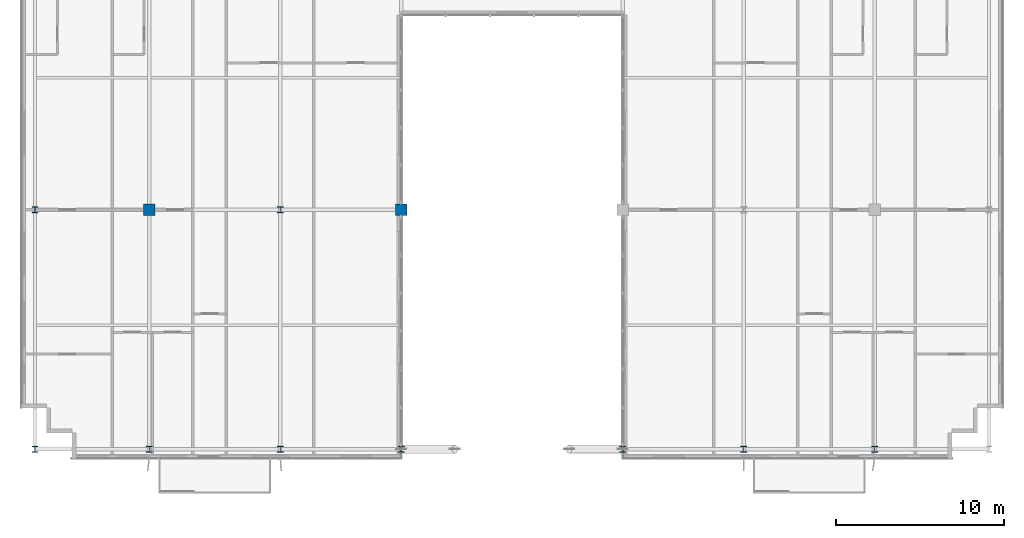
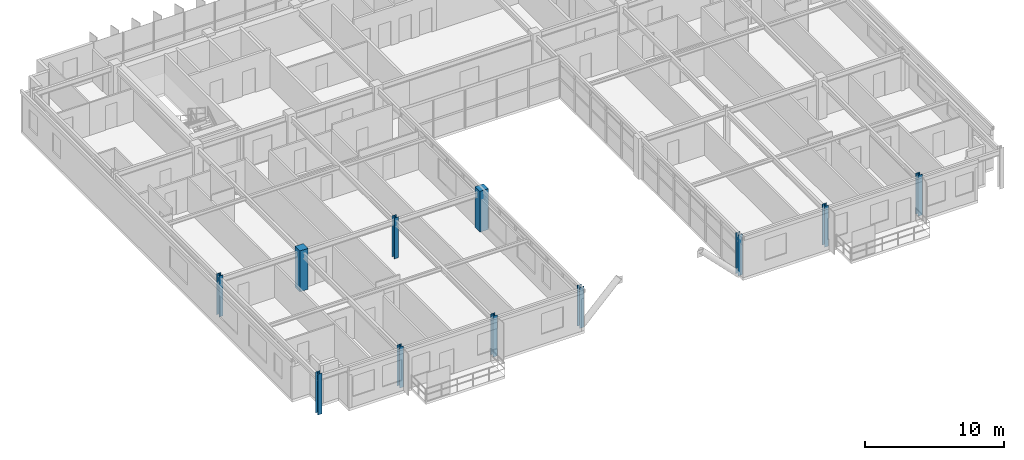
# One storey, part 1 of 35: 11 columns.
"""IFC4 building model written with IfcOpenShell, lengths in metres."""

from ifc_helpers import new_model, si_unit, direction, frame, origin, origin_2d, place, context, subcontext, project, spatial, rectangle, i_section, extrude, source, transform, mapped, material, material_profile, profile_set, type_object, element, save


model = new_model("IFC4")

# Units and contexts
model_context = context("Model", 3, precision=1e-05, world=origin(), true_north=direction((0.0, 1.0)))
body_context = subcontext(model_context, "Body", "Model", "MODEL_VIEW")
ifc_project = project(units=[si_unit("LENGTHUNIT", "METRE"), si_unit("AREAUNIT", "SQUARE_METRE"), si_unit("VOLUMEUNIT", "CUBIC_METRE"), si_unit("PLANEANGLEUNIT", "RADIAN"), si_unit("MASSUNIT", "GRAM", prefix="KILO")], contexts=[model_context])

# Site, building, storey
site_placement = place(None, origin())
site = spatial("IfcSite", under=ifc_project, at=site_placement, CompositionType="ELEMENT")
building_placement = place(site_placement, origin())
building = spatial("IfcBuilding", under=site, at=building_placement, Name="Trelvane Seafront Commons", CompositionType="ELEMENT")
storey_placement = place(building_placement, frame((0.0, 0.0, 194.10009765625)))
storey = spatial("IfcBuildingStorey", under=building, at=storey_placement, Name="L50", CompositionType="ELEMENT", Elevation=194.10009765625)

# Columns
ifc_material_1 = material(Name="Concrete C50/60", Category="concrete")
ifc_material_profile_1 = material_profile(ifc_material_1, rectangle(XDim=0.699951171875, YDim=0.699951171875, at=origin_2d()), Name="RC-700x700")
ifc_profile_set_1 = profile_set([ifc_material_profile_1], Name="Concrete C50/60")
column_type_1 = type_object("IfcColumnType", Name="STR-COL-RC700", PredefinedType="COLUMN", material=ifc_profile_set_1)
shared_shape_1 = source(origin(), body_context, "Body", "SweptSolid", [
    extrude(rectangle(XDim=0.699951171875, YDim=0.699951171875, at=origin_2d()), origin(), (0.0, 0.0, 1.0), 3.599853515625),
])
for number, where, z_axis, x_axis, name in (
    (1, (15.60009765625, 18.199951171875, 0.0), (0.0, 0.0, 1.0), (1.0, 0.0, 0.0), "L50 Column TC-M15.6"),
    (2, (30.60009765625, 18.199951171875, 0.0), (0.0, 0.0, 1.0), (1.0, 0.0, 0.0), "L50 Column TC-M30.6"),
):
    element("IfcColumn", number, at=place(storey_placement, frame(where, z_axis=z_axis, x_axis=x_axis)), inside=storey, type_object=column_type_1, Name=name, PredefinedType="COLUMN", context=body_context, shape_type="MappedRepresentation", body=[
        mapped(shared_shape_1, transform((0.0, 0.0, 0.0), x_axis=(1.0, 0.0, 0.0), y_axis=(0.0, 1.0, 0.0), z_axis=(0.0, 0.0, 1.0), scale=1.0)),
    ])
ifc_material_2 = material(Name="Steel SM355 (S355)", Category="steel")
ifc_material_profile_2 = material_profile(ifc_material_2, i_section(OverallWidth=0.35009765625, OverallDepth=0.35009765625, WebThickness=0.01806640625, FlangeThickness=0.028076171875, at=origin_2d()), Name="HD-350x350x18x28")
ifc_profile_set_2 = profile_set([ifc_material_profile_2], Name="Steel SM355 (S355)")
column_type_2 = type_object("IfcColumnType", Name="STR-COL-HD350", PredefinedType="COLUMN", material=ifc_profile_set_2)
shared_shape_2 = source(origin(), body_context, "Body", "SweptSolid", [
    extrude(i_section(OverallWidth=0.35009765625, OverallDepth=0.35009765625, WebThickness=0.01806640625, FlangeThickness=0.028076171875, at=origin_2d()), origin(), (0.0, 0.0, 1.0), 3.599853515625),
])
for number, where, z_axis, x_axis, name in (
    (3, (8.800048828125, 3.949951171875, 0.0), (0.0, 0.0, 1.0), (1.0, 0.0, 0.0), "L50 Column TC-S8.8"),
    (4, (8.800048828125, 18.199951171875, 0.0), (0.0, 0.0, 1.0), (1.0, 0.0, 0.0), "L50 Column TC-M8.8"),
    (5, (15.60009765625, 3.949951171875, 0.0), (0.0, 0.0, 1.0), (1.0, 0.0, 0.0), "L50 Column TC-S15.6"),
    (6, (23.39990234375, 3.949951171875, 0.0), (0.0, 0.0, 1.0), (1.0, 0.0, 0.0), "L50 Column TC-S23.4"),
    (7, (23.39990234375, 18.199951171875, 0.0), (0.0, 0.0, 1.0), (1.0, 0.0, 0.0), "L50 Column TC-M23.4"),
    (8, (30.60009765625, 3.949951171875, 0.0), (0.0, 0.0, 1.0), (1.0, 0.0, 0.0), "L50 Column TC-S30.6"),
    (9, (43.800048828125, 3.949951171875, 0.0), (0.0, 0.0, 1.0), (1.0, 0.0, 0.0), "L50 Column TC-S43.8"),
    (10, (51.0, 3.949951171875, 0.0), (0.0, 0.0, 1.0), (1.0, 0.0, 0.0), "L50 Column TC-S51.0"),
    (11, (58.800048828125, 3.949951171875, 0.0), (0.0, 0.0, 1.0), (1.0, 0.0, 0.0), "L50 Column TC-S58.8"),
):
    element("IfcColumn", number, at=place(storey_placement, frame(where, z_axis=z_axis, x_axis=x_axis)), inside=storey, type_object=column_type_2, Name=name, PredefinedType="COLUMN", context=body_context, shape_type="MappedRepresentation", body=[
        mapped(shared_shape_2, transform((0.0, 0.0, 0.0), x_axis=(1.0, 0.0, 0.0), y_axis=(0.0, 1.0, 0.0), z_axis=(0.0, 0.0, 1.0), scale=1.0)),
    ])

save(model, "model.ifc")
